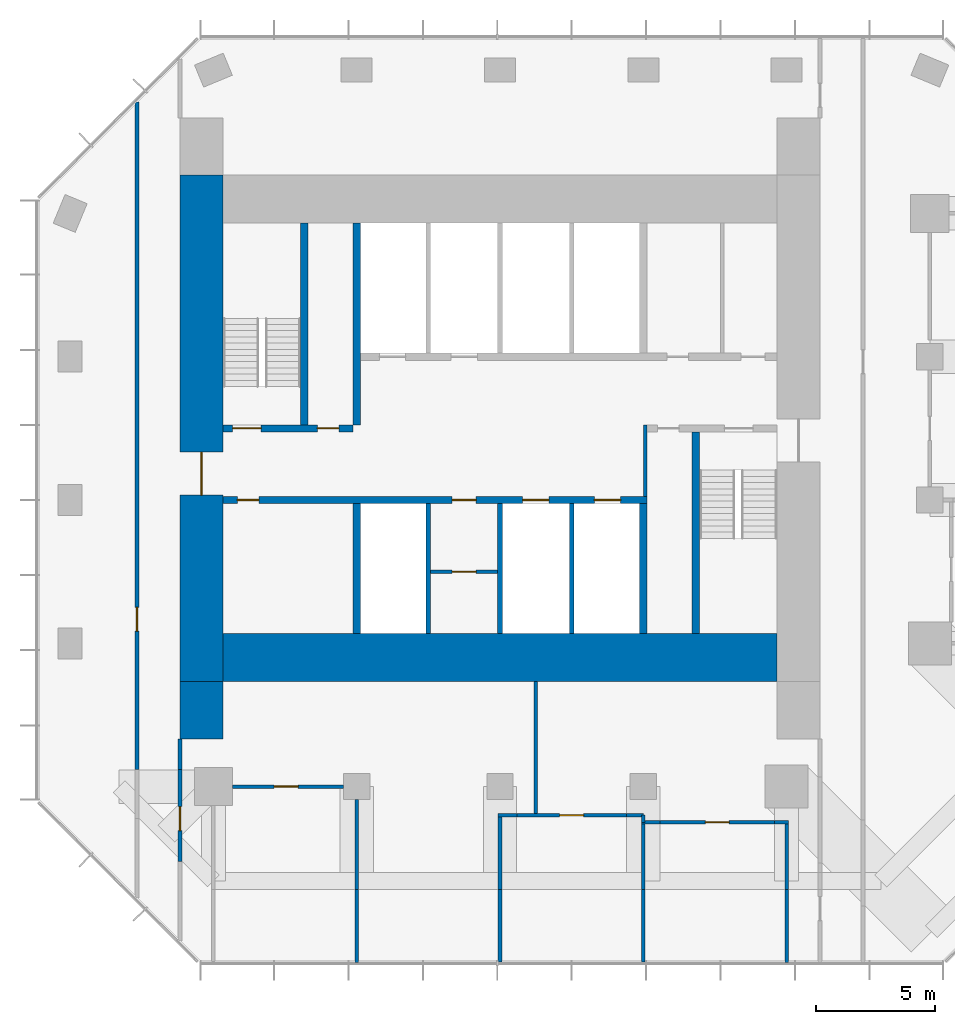
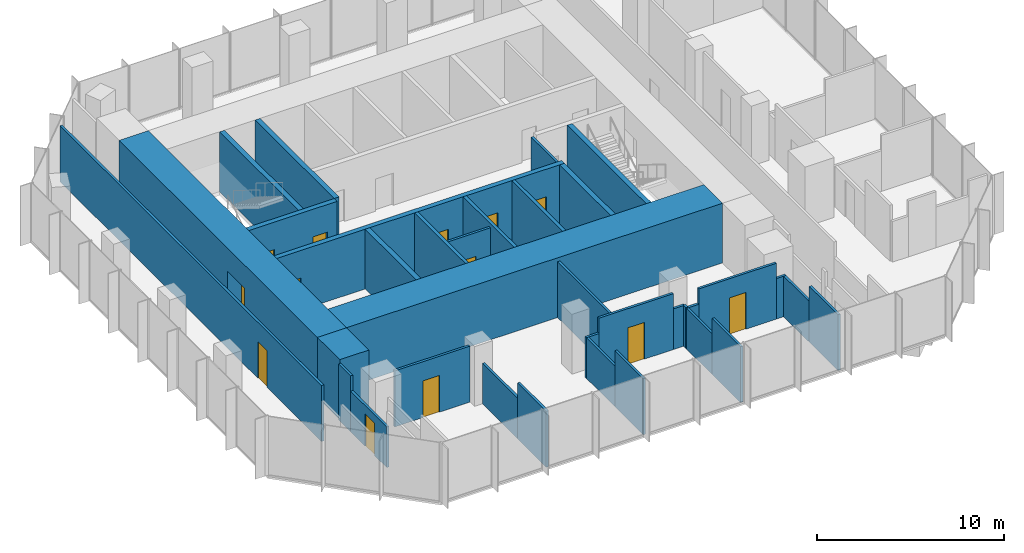
# One storey, part 8 of 11: 35 walls, 13 doors, 13 openings.
"""IFC4 building model written with IfcOpenShell, lengths in metres."""

from ifc_helpers import new_model, si_unit, direction, frame, frame_2d, origin, place, context, subcontext, project, spatial, rectangle, extrude, material, layer, layer_set, type_object, element, fill, save


model = new_model("IFC4")

# Units and contexts
model_context = context("Model", 3, precision=1e-05, world=origin(), true_north=direction((0.0, 1.0)))
body_context = subcontext(model_context, "Body", "Model", "MODEL_VIEW")
ifc_project = project(units=[si_unit("LENGTHUNIT", "METRE"), si_unit("AREAUNIT", "SQUARE_METRE"), si_unit("VOLUMEUNIT", "CUBIC_METRE"), si_unit("PLANEANGLEUNIT", "RADIAN"), si_unit("MASSUNIT", "GRAM", prefix="KILO")], contexts=[model_context])

# Site, building, storey
site_placement = place(None, origin())
site = spatial("IfcSite", under=ifc_project, at=site_placement, CompositionType="ELEMENT")
building_placement = place(site_placement, origin())
building = spatial("IfcBuilding", under=site, at=building_placement, Name="Highveld Stack Headquarters", CompositionType="ELEMENT")
storey_placement = place(building_placement, frame((0.0, 0.0, 272.300048828125)))
storey = spatial("IfcBuildingStorey", under=building, at=storey_placement, Name="L67", CompositionType="ELEMENT", Elevation=272.300048828125)

# Wall, opening, door
ifc_material_1 = material(Name="Concrete C60/75", Category="concrete")
ifc_layer_1 = layer(ifc_material_1, 1.800048828125)
ifc_layer_set_1 = layer_set([ifc_layer_1], Name="Concrete C60/75")
wall_type_1 = type_object("IfcWallType", Name="CORE WALL 1800 C60/75", PredefinedType="SHEAR", material=ifc_layer_set_1)
wall_1_placement = place(storey_placement, frame((-6.5, -7.60009765625, 0.0), z_axis=(0.0, 0.0, 1.0), x_axis=(0.0, 1.0, 0.0)))
wall_1 = element("IfcWall", 1, at=wall_1_placement, inside=storey, type_object=wall_type_1, Name="Core wall W L67", PredefinedType="SHEAR", context=body_context, shape_type="SweptSolid", body=[
    extrude(rectangle(XDim=21.2001953125, YDim=1.800048828125, at=frame_2d((10.60009765625, 0.0))), origin(), (0.0, 0.0, 1.0), 3.89990234375),
])
opening_1_placement = place(wall_1_placement, frame((7.800048828125, 0.0, 0.0)))
opening_1 = element("IfcOpeningElement", 2, at=opening_1_placement, cuts=wall_1, Name="Opening L67-01", PredefinedType="OPENING", context=body_context, shape_type="SweptSolid", body=[
    extrude(rectangle(XDim=1.800048828125, YDim=2.39990234375, at=frame_2d((0.89990234375, 1.199951171875))), frame((0.0, 0.909912109375, 0.0), z_axis=(0.0, -1.0, 0.0), x_axis=(1.0, 0.0, 0.0)), (0.0, 0.0, 1.0), 1.820068359375),
])
ifc_material_2 = material(Name="Steel fire door", Category="steel")
door_type_1 = type_object("IfcDoorType", Name="LOBBY FIRE DOOR D4 1800x2400", OperationType="DOUBLE_DOOR_SINGLE_SWING", PredefinedType="DOOR", material=ifc_material_2)
door_1_placement = place(opening_1_placement, origin())
door_1 = element("IfcDoor", 3, at=door_1_placement, inside=storey, type_object=door_type_1, Name="Core west door L67", OperationType="DOUBLE_DOOR_SINGLE_SWING", OverallHeight=2.39990234375, OverallWidth=1.800048828125, PredefinedType="DOOR", context=body_context, shape_type="SweptSolid", body=[
    extrude(rectangle(XDim=1.800048828125, YDim=2.39990234375, at=frame_2d((0.89990234375, 1.199951171875))), frame((0.0, 0.02490234375, 0.0), z_axis=(0.0, -1.0, 0.0), x_axis=(1.0, 0.0, 0.0)), (0.0, 0.0, 1.0), 0.050048828125),
])
fill(opening_1, door_1)

# Wall
ifc_material_3 = material(Name="Concrete C60/75", Category="concrete")
ifc_layer_2 = layer(ifc_material_3, 2.0)
ifc_layer_set_2 = layer_set([ifc_layer_2], Name="Concrete C60/75")
wall_type_2 = type_object("IfcWallType", Name="CORE WALL 2000 C60/75", PredefinedType="SHEAR", material=ifc_layer_set_2)
wall_2_placement = place(storey_placement, frame((-5.60009765625, -6.60009765625, 0.0), z_axis=(0.0, 0.0, 1.0), x_axis=(1.0, 0.0, 0.0)))
element("IfcWall", 4, at=wall_2_placement, inside=storey, type_object=wall_type_2, Name="Core wall S L67", PredefinedType="SHEAR", context=body_context, shape_type="SweptSolid", body=[
    extrude(rectangle(XDim=23.2001953125, YDim=2.0, at=frame_2d((11.60009765625, 0.0))), origin(), (0.0, 0.0, 1.0), 3.89990234375),
])

# Wall, openings, doors
ifc_material_4 = material(Name="Concrete C60/75", Category="concrete")
ifc_layer_3 = layer(ifc_material_4, 0.300048828125)
ifc_layer_set_3 = layer_set([ifc_layer_3], Name="Concrete C60/75")
wall_type_3 = type_object("IfcWallType", Name="CORE WALL 300 C60/75", PredefinedType="SHEAR", material=ifc_layer_set_3)
wall_3_placement = place(storey_placement, frame((-5.60009765625, 0.0, 0.0), z_axis=(0.0, 0.0, 1.0), x_axis=(1.0, 0.0, 0.0)))
wall_3 = element("IfcWall", 5, at=wall_3_placement, inside=storey, type_object=wall_type_3, Name="Core wall I-Y0 L67", PredefinedType="SHEAR", context=body_context, shape_type="SweptSolid", body=[
    extrude(rectangle(XDim=17.75, YDim=0.300048828125, at=frame_2d((8.875, 0.0))), origin(), (0.0, 0.0, 1.0), 3.89990234375),
])
opening_2_placement = place(wall_3_placement, frame((0.60009765625, 0.0, 0.0)))
opening_2 = element("IfcOpeningElement", 6, at=opening_2_placement, cuts=wall_3, Name="Opening L67-07", PredefinedType="OPENING", context=body_context, shape_type="SweptSolid", body=[
    extrude(rectangle(XDim=0.89990234375, YDim=2.10009765625, at=frame_2d((0.449951171875, 1.050048828125))), frame((0.0, 0.159912109375, 0.0), z_axis=(0.0, -1.0, 0.0), x_axis=(1.0, 0.0, 0.0)), (0.0, 0.0, 1.0), 0.320068359375),
])
opening_3_placement = place(wall_3_placement, frame((9.60009765625, 0.0, 0.0)))
opening_3 = element("IfcOpeningElement", 7, at=opening_3_placement, cuts=wall_3, Name="Opening L67-11", PredefinedType="OPENING", context=body_context, shape_type="SweptSolid", body=[
    extrude(rectangle(XDim=1.0, YDim=2.10009765625, at=frame_2d((0.5, 1.050048828125))), frame((0.0, 0.159912109375, 0.0), z_axis=(0.0, -1.0, 0.0), x_axis=(1.0, 0.0, 0.0)), (0.0, 0.0, 1.0), 0.320068359375),
])
opening_4_placement = place(wall_3_placement, frame((12.550048828125, 0.0, 0.0)))
opening_4 = element("IfcOpeningElement", 8, at=opening_4_placement, cuts=wall_3, Name="Opening LD", PredefinedType="OPENING", context=body_context, shape_type="SweptSolid", body=[
    extrude(rectangle(XDim=1.10009765625, YDim=2.10009765625, at=frame_2d((0.550048828125, 1.050048828125))), frame((0.0, 0.159912109375, 0.0), z_axis=(0.0, -1.0, 0.0), x_axis=(1.0, 0.0, 0.0)), (0.0, 0.0, 1.0), 0.320068359375),
])
opening_5_placement = place(wall_3_placement, frame((15.550048828125, 0.0, 0.0)))
opening_5 = element("IfcOpeningElement", 9, at=opening_5_placement, cuts=wall_3, Name="Opening LD", PredefinedType="OPENING", context=body_context, shape_type="SweptSolid", body=[
    extrude(rectangle(XDim=1.10009765625, YDim=2.10009765625, at=frame_2d((0.550048828125, 1.050048828125))), frame((0.0, 0.159912109375, 0.0), z_axis=(0.0, -1.0, 0.0), x_axis=(1.0, 0.0, 0.0)), (0.0, 0.0, 1.0), 0.320068359375),
])
ifc_material_5 = material(Name="Steel fire door", Category="steel")
door_type_2 = type_object("IfcDoorType", Name="CORE ROOM FIRE DOOR D14 1000x2100", OperationType="SINGLE_SWING_LEFT", PredefinedType="DOOR", material=ifc_material_5)
door_2_placement = place(opening_3_placement, origin())
door_2 = element("IfcDoor", 10, at=door_2_placement, inside=storey, type_object=door_type_2, Name="Capped B 1 door L67", OperationType="SINGLE_SWING_RIGHT", OverallHeight=2.10009765625, OverallWidth=1.0, PredefinedType="DOOR", context=body_context, shape_type="SweptSolid", body=[
    extrude(rectangle(XDim=1.0, YDim=2.10009765625, at=frame_2d((0.5, 1.050048828125))), frame((0.0, 0.02490234375, 0.0), z_axis=(0.0, -1.0, 0.0), x_axis=(1.0, 0.0, 0.0)), (0.0, 0.0, 1.0), 0.050048828125),
])
fill(opening_3, door_2)
ifc_material_6 = material(Name="Stainless steel lift landing door", Category="steel")
door_type_3 = type_object("IfcDoorType", Name="LIFT LANDING DOOR LD 1100x2100", OperationType="DOUBLE_DOOR_SLIDING", PredefinedType="USERDEFINED", material=ifc_material_6)
door_3_placement = place(opening_4_placement, origin())
door_3 = element("IfcDoor", 11, at=door_3_placement, inside=storey, type_object=door_type_3, Name="Lift landing door C1 L67", ObjectType="LIFT LANDING DOOR", OperationType="DOUBLE_DOOR_SLIDING", OverallHeight=2.10009765625, OverallWidth=1.10009765625, PredefinedType="USERDEFINED", context=body_context, shape_type="SweptSolid", body=[
    extrude(rectangle(XDim=1.10009765625, YDim=2.10009765625, at=frame_2d((0.550048828125, 1.050048828125))), frame((0.0, 0.02490234375, 0.0), z_axis=(0.0, -1.0, 0.0), x_axis=(1.0, 0.0, 0.0)), (0.0, 0.0, 1.0), 0.050048828125),
])
fill(opening_4, door_3)
door_4_placement = place(opening_5_placement, origin())
door_4 = element("IfcDoor", 12, at=door_4_placement, inside=storey, type_object=door_type_3, Name="Lift landing door C2 L67", ObjectType="LIFT LANDING DOOR", OperationType="DOUBLE_DOOR_SLIDING", OverallHeight=2.10009765625, OverallWidth=1.10009765625, PredefinedType="USERDEFINED", context=body_context, shape_type="SweptSolid", body=[
    extrude(rectangle(XDim=1.10009765625, YDim=2.10009765625, at=frame_2d((0.550048828125, 1.050048828125))), frame((0.0, 0.02490234375, 0.0), z_axis=(0.0, -1.0, 0.0), x_axis=(1.0, 0.0, 0.0)), (0.0, 0.0, 1.0), 0.050048828125),
])
fill(opening_5, door_4)
ifc_material_7 = material(Name="Timber door, painted", Category="wood")
door_type_4 = type_object("IfcDoorType", Name="WC DOOR D1 900x2100", OperationType="SINGLE_SWING_LEFT", PredefinedType="DOOR", material=ifc_material_7)
door_5_placement = place(opening_2_placement, origin())
door_5 = element("IfcDoor", 13, at=door_5_placement, inside=storey, type_object=door_type_4, Name="Female WC door L67", OperationType="SINGLE_SWING_LEFT", OverallHeight=2.10009765625, OverallWidth=0.89990234375, PredefinedType="DOOR", context=body_context, shape_type="SweptSolid", body=[
    extrude(rectangle(XDim=0.89990234375, YDim=2.10009765625, at=frame_2d((0.449951171875, 1.050048828125))), frame((0.0, 0.02490234375, 0.0), z_axis=(0.0, -1.0, 0.0), x_axis=(1.0, 0.0, 0.0)), (0.0, 0.0, 1.0), 0.050048828125),
])
fill(opening_2, door_5)

wall_4_placement = place(storey_placement, frame((-5.60009765625, 3.0, 0.0), z_axis=(0.0, 0.0, 1.0), x_axis=(1.0, 0.0, 0.0)))
wall_4 = element("IfcWall", 14, at=wall_4_placement, inside=storey, type_object=wall_type_3, Name="Core wall I-Y3W L67", PredefinedType="SHEAR", context=body_context, shape_type="SweptSolid", body=[
    extrude(rectangle(XDim=5.4501953125, YDim=0.300048828125, at=frame_2d((2.72509765625, 0.0))), origin(), (0.0, 0.0, 1.0), 3.89990234375),
])
opening_6_placement = place(wall_4_placement, frame((0.39990234375, 0.0, 0.0)))
opening_6 = element("IfcOpeningElement", 15, at=opening_6_placement, cuts=wall_4, Name="Opening L67-03", PredefinedType="OPENING", context=body_context, shape_type="SweptSolid", body=[
    extrude(rectangle(XDim=1.199951171875, YDim=2.10009765625, at=frame_2d((0.60009765625, 1.050048828125))), frame((0.0, 0.159912109375, 0.0), z_axis=(0.0, -1.0, 0.0), x_axis=(1.0, 0.0, 0.0)), (0.0, 0.0, 1.0), 0.320068359375),
])
opening_7_placement = place(wall_4_placement, frame((3.949951171875, 0.0, 0.0)))
opening_7 = element("IfcOpeningElement", 16, at=opening_7_placement, cuts=wall_4, Name="Opening L67-04", PredefinedType="OPENING", context=body_context, shape_type="SweptSolid", body=[
    extrude(rectangle(XDim=0.89990234375, YDim=2.10009765625, at=frame_2d((0.449951171875, 1.050048828125))), frame((0.0, 0.159912109375, 0.0), z_axis=(0.0, -1.0, 0.0), x_axis=(1.0, 0.0, 0.0)), (0.0, 0.0, 1.0), 0.320068359375),
])
ifc_material_8 = material(Name="Steel fire door", Category="steel")
door_type_5 = type_object("IfcDoorType", Name="RISER ACCESS DOOR D5 900x2100", OperationType="SINGLE_SWING_LEFT", PredefinedType="DOOR", material=ifc_material_8)
door_6_placement = place(opening_7_placement, origin())
door_6 = element("IfcDoor", 17, at=door_6_placement, inside=storey, type_object=door_type_5, Name="Riser R1 door L67", OperationType="SINGLE_SWING_RIGHT", OverallHeight=2.10009765625, OverallWidth=0.89990234375, PredefinedType="DOOR", context=body_context, shape_type="SweptSolid", body=[
    extrude(rectangle(XDim=0.89990234375, YDim=2.10009765625, at=frame_2d((0.449951171875, 1.050048828125))), frame((0.0, 0.02490234375, 0.0), z_axis=(0.0, -1.0, 0.0), x_axis=(1.0, 0.0, 0.0)), (0.0, 0.0, 1.0), 0.050048828125),
])
fill(opening_7, door_6)
ifc_material_9 = material(Name="Steel fire door", Category="steel")
door_type_6 = type_object("IfcDoorType", Name="STAIR FIRE DOOR D3 1200x2100", OperationType="SINGLE_SWING_LEFT", PredefinedType="DOOR", material=ifc_material_9)
door_7_placement = place(opening_6_placement, origin())
door_7 = element("IfcDoor", 18, at=door_7_placement, inside=storey, type_object=door_type_6, Name="Stair S1 door L67", OperationType="SINGLE_SWING_LEFT", OverallHeight=2.10009765625, OverallWidth=1.199951171875, PredefinedType="DOOR", context=body_context, shape_type="SweptSolid", body=[
    extrude(rectangle(XDim=1.199951171875, YDim=2.10009765625, at=frame_2d((0.60009765625, 1.050048828125))), frame((0.0, 0.02490234375, 0.0), z_axis=(0.0, -1.0, 0.0), x_axis=(1.0, 0.0, 0.0)), (0.0, 0.0, 1.0), 0.050048828125),
])
fill(opening_6, door_7)

# Walls
wall_5_placement = place(storey_placement, frame((0.0, -5.60009765625, 0.0), z_axis=(0.0, 0.0, 1.0), x_axis=(0.0, 1.0, 0.0)))
element("IfcWall", 19, at=wall_5_placement, inside=storey, type_object=wall_type_3, Name="Core wall I-X0S L67", PredefinedType="SHEAR", context=body_context, shape_type="SweptSolid", body=[
    extrude(rectangle(XDim=5.4501953125, YDim=0.300048828125, at=frame_2d((2.72509765625, 0.0))), origin(), (0.0, 0.0, 1.0), 3.89990234375),
])
wall_6_placement = place(storey_placement, frame((0.0, 3.14990234375, 0.0), z_axis=(0.0, 0.0, 1.0), x_axis=(0.0, 1.0, 0.0)))
element("IfcWall", 20, at=wall_6_placement, inside=storey, type_object=wall_type_3, Name="Core wall I-X0N L67", PredefinedType="SHEAR", context=body_context, shape_type="SweptSolid", body=[
    extrude(rectangle(XDim=8.4501953125, YDim=0.300048828125, at=frame_2d((4.22509765625, 0.0))), origin(), (0.0, 0.0, 1.0), 3.89990234375),
])
wall_7_placement = place(storey_placement, frame((12.0, -5.60009765625, 0.0), z_axis=(0.0, 0.0, 1.0), x_axis=(0.0, 1.0, 0.0)))
element("IfcWall", 21, at=wall_7_placement, inside=storey, type_object=wall_type_3, Name="Core wall I-X12S L67", PredefinedType="SHEAR", context=body_context, shape_type="SweptSolid", body=[
    extrude(rectangle(XDim=5.4501953125, YDim=0.300048828125, at=frame_2d((2.72509765625, 0.0))), origin(), (0.0, 0.0, 1.0), 3.89990234375),
])
for number, where, z_axis, x_axis, name in (
    (22, (-2.199951171875, 3.14990234375, 0.0), (0.0, 0.0, 1.0), (0.0, 1.0, 0.0), "Core wall I-RW L67"),
    (23, (14.199951171875, -5.60009765625, 0.0), (0.0, 0.0, 1.0), (0.0, 1.0, 0.0), "Core wall I-RE L67"),
):
    element("IfcWall", number, at=place(storey_placement, frame(where, z_axis=z_axis, x_axis=x_axis)), inside=storey, type_object=wall_type_3, Name=name, PredefinedType="SHEAR", context=body_context, shape_type="SweptSolid", body=[
        extrude(rectangle(XDim=8.4501953125, YDim=0.300048828125, at=frame_2d((4.22509765625, 0.0))), origin(), (0.0, 0.0, 1.0), 3.89990234375),
    ])
ifc_material_10 = material(Name="Concrete C60/75", Category="concrete")
ifc_layer_4 = layer(ifc_material_10, 1.800048828125)
ifc_layer_set_4 = layer_set([ifc_layer_4], Name="Concrete C60/75")
wall_type_4 = type_object("IfcWallType", Name="CORE WING WALL 1800 C60/75", PredefinedType="SHEAR", material=ifc_layer_set_4)
wall_8_placement = place(storey_placement, frame((-6.5, -10.0, 0.0), z_axis=(0.0, 0.0, 1.0), x_axis=(0.0, 1.0, 0.0)))
element("IfcWall", 24, at=wall_8_placement, inside=storey, type_object=wall_type_4, Name="Core wing wall WS L67", PredefinedType="SHEAR", context=body_context, shape_type="SweptSolid", body=[
    extrude(rectangle(XDim=2.39990234375, YDim=1.800048828125, at=frame_2d((1.199951171875, 0.0))), origin(), (0.0, 0.0, 1.0), 3.89990234375),
])

# Wall, opening, door
ifc_material_11 = material(Name="Concrete blockwork, plastered", Category="masonry")
ifc_layer_5 = layer(ifc_material_11, 0.14990234375)
ifc_layer_set_5 = layer_set([ifc_layer_5], Name="Concrete blockwork, plastered")
wall_type_5 = type_object("IfcWallType", Name="FIRE PARTITION 150 BLOCKWORK", PredefinedType="PARTITIONING", material=ifc_layer_set_5)
wall_9_placement = place(storey_placement, frame((3.10009765625, -3.0, 0.0), z_axis=(0.0, 0.0, 1.0), x_axis=(1.0, 0.0, 0.0)))
wall_9 = element("IfcWall", 25, at=wall_9_placement, inside=storey, type_object=wall_type_5, Name="Core room partition L67", PredefinedType="PARTITIONING", context=body_context, shape_type="SweptSolid", body=[
    extrude(rectangle(XDim=2.7998046875, YDim=0.14990234375, at=frame_2d((1.39990234375, 0.0))), origin(), (0.0, 0.0, 1.0), 3.64990234375),
])
opening_8_placement = place(wall_9_placement, frame((0.89990234375, 0.0, 0.0)))
opening_8 = element("IfcOpeningElement", 26, at=opening_8_placement, cuts=wall_9, Name="Opening L67-10", PredefinedType="OPENING", context=body_context, shape_type="SweptSolid", body=[
    extrude(rectangle(XDim=1.0, YDim=2.10009765625, at=frame_2d((0.5, 1.050048828125))), frame((0.0, 0.0849609375, 0.0), z_axis=(0.0, -1.0, 0.0), x_axis=(1.0, 0.0, 0.0)), (0.0, 0.0, 1.0), 0.169921875),
])
door_8_placement = place(opening_8_placement, origin())
door_8 = element("IfcDoor", 27, at=door_8_placement, inside=storey, type_object=door_type_2, Name="Capped B 2 door L67", OperationType="SINGLE_SWING_RIGHT", OverallHeight=2.10009765625, OverallWidth=1.0, PredefinedType="DOOR", context=body_context, shape_type="SweptSolid", body=[
    extrude(rectangle(XDim=1.0, YDim=2.10009765625, at=frame_2d((0.5, 1.050048828125))), frame((0.0, 0.02490234375, 0.0), z_axis=(0.0, -1.0, 0.0), x_axis=(1.0, 0.0, 0.0)), (0.0, 0.0, 1.0), 0.050048828125),
])
fill(opening_8, door_8)

# Walls
wall_10_placement = place(storey_placement, frame((12.074951171875, 0.14990234375, 0.0), z_axis=(0.0, 0.0, 1.0), x_axis=(0.0, 1.0, 0.0)))
element("IfcWall", 28, at=wall_10_placement, inside=storey, type_object=wall_type_5, Name="Riser R2 enclosure L67", PredefinedType="PARTITIONING", context=body_context, shape_type="SweptSolid", body=[
    extrude(rectangle(XDim=3.0, YDim=0.14990234375, at=frame_2d((1.5, 0.0))), origin(), (0.0, 0.0, 1.0), 3.64990234375),
])
ifc_material_12 = material(Name="Concrete blockwork, fair-faced", Category="masonry")
ifc_layer_6 = layer(ifc_material_12, 0.199951171875)
ifc_layer_set_6 = layer_set([ifc_layer_6], Name="Concrete blockwork, fair-faced")
wall_type_6 = type_object("IfcWallType", Name="LIFT SHAFT ENCLOSURE WALL 200 BLOCKWORK", PredefinedType="SOLIDWALL", material=ifc_layer_set_6)
for number, where, z_axis, x_axis, name in (
    (29, (3.0, -5.60009765625, 0.0), (0.0, 0.0, 1.0), (0.0, 1.0, 0.0), "Lift shaft wall L67"),
    (30, (6.0, -5.60009765625, 0.0), (0.0, 0.0, 1.0), (0.0, 1.0, 0.0), "Lift shaft wall L67"),
    (31, (9.0, -5.60009765625, 0.0), (0.0, 0.0, 1.0), (0.0, 1.0, 0.0), "Lift shaft wall L67"),
):
    element("IfcWall", number, at=place(storey_placement, frame(where, z_axis=z_axis, x_axis=x_axis)), inside=storey, type_object=wall_type_6, Name=name, PredefinedType="SOLIDWALL", context=body_context, shape_type="SweptSolid", body=[
        extrude(rectangle(XDim=5.4501953125, YDim=0.199951171875, at=frame_2d((2.72509765625, 0.0))), origin(), (0.0, 0.0, 1.0), 3.89990234375),
    ])
ifc_material_13 = material(Name="Gypsum plasterboard on steel studs", Category="steel")
ifc_layer_7 = layer(ifc_material_13, 0.14990234375)
ifc_layer_set_7 = layer_set([ifc_layer_7], Name="Gypsum plasterboard on steel studs")
wall_type_7 = type_object("IfcWallType", Name="PARTITION 150 PLASTERBOARD", PredefinedType="PARTITIONING", material=ifc_layer_set_7)
wall_11_placement = place(storey_placement, frame((11.925048828125, -13.5, 0.0), z_axis=(0.0, 0.0, 1.0), x_axis=(1.0, 0.0, 0.0)))
element("IfcWall", 32, at=wall_11_placement, inside=storey, type_object=wall_type_7, Name="Partition Quiet room L67", PredefinedType="PARTITIONING", context=body_context, shape_type="SweptSolid", body=[
    extrude(rectangle(XDim=0.784912109375, YDim=0.14990234375, at=frame_2d((0.392578125, 0.0))), origin(), (0.0, 0.0, 1.0), 2.64990234375),
])

# Wall, opening, door
wall_12_placement = place(storey_placement, frame((12.7099609375, -13.5, 0.0), z_axis=(0.0, 0.0, 1.0), x_axis=(1.0, 0.0, 0.0)))
wall_12 = element("IfcWall", 33, at=wall_12_placement, inside=storey, type_object=wall_type_7, Name="Partition Quiet room L67", PredefinedType="PARTITIONING", context=body_context, shape_type="SweptSolid", body=[
    extrude(rectangle(XDim=4.780029296875, YDim=0.14990234375, at=frame_2d((2.39013671875, 0.0))), origin(), (0.0, 0.0, 1.0), 3.64990234375),
])
opening_9_placement = place(wall_12_placement, frame((1.889892578125, 0.0, 0.0)))
opening_9 = element("IfcOpeningElement", 34, at=opening_9_placement, cuts=wall_12, Name="Opening L67-14", PredefinedType="OPENING", context=body_context, shape_type="SweptSolid", body=[
    extrude(rectangle(XDim=1.0, YDim=2.39990234375, at=frame_2d((0.5, 1.199951171875))), frame((0.0, 0.0849609375, 0.0), z_axis=(0.0, -1.0, 0.0), x_axis=(1.0, 0.0, 0.0)), (0.0, 0.0, 1.0), 0.169921875),
])
ifc_material_14 = material(Name="Timber door, oiled ash", Category="wood")
door_type_7 = type_object("IfcDoorType", Name="ROOM DOOR D11 1000x2400", OperationType="SINGLE_SWING_LEFT", PredefinedType="DOOR", material=ifc_material_14)
door_9_placement = place(opening_9_placement, origin())
door_9 = element("IfcDoor", 35, at=door_9_placement, inside=storey, type_object=door_type_7, Name="Quiet room door 1 L67", OperationType="SINGLE_SWING_RIGHT", OverallHeight=2.39990234375, OverallWidth=1.0, PredefinedType="DOOR", context=body_context, shape_type="SweptSolid", body=[
    extrude(rectangle(XDim=1.0, YDim=2.39990234375, at=frame_2d((0.5, 1.199951171875))), frame((0.0, 0.02490234375, 0.0), z_axis=(0.0, -1.0, 0.0), x_axis=(1.0, 0.0, 0.0)), (0.0, 0.0, 1.0), 0.050048828125),
])
fill(opening_9, door_9)

# Walls
wall_13_placement = place(storey_placement, frame((17.489990234375, -13.5, 0.0), z_axis=(0.0, 0.0, 1.0), x_axis=(1.0, 0.0, 0.0)))
element("IfcWall", 36, at=wall_13_placement, inside=storey, type_object=wall_type_7, Name="Partition Quiet room L67", PredefinedType="PARTITIONING", context=body_context, shape_type="SweptSolid", body=[
    extrude(rectangle(XDim=0.5849609375, YDim=0.14990234375, at=frame_2d((0.29248046875, 0.0))), origin(), (0.0, 0.0, 1.0), 2.64990234375),
])
wall_14_placement = place(storey_placement, frame((5.925048828125, -13.199951171875, 0.0), z_axis=(0.0, 0.0, 1.0), x_axis=(1.0, 0.0, 0.0)))
element("IfcWall", 37, at=wall_14_placement, inside=storey, type_object=wall_type_7, Name="Partition Tea kitchen L67", PredefinedType="PARTITIONING", context=body_context, shape_type="SweptSolid", body=[
    extrude(rectangle(XDim=0.784912109375, YDim=0.14990234375, at=frame_2d((0.392578125, 0.0))), origin(), (0.0, 0.0, 1.0), 2.64990234375),
])

# Wall, opening, door
wall_15_placement = place(storey_placement, frame((6.7099609375, -13.199951171875, 0.0), z_axis=(0.0, 0.0, 1.0), x_axis=(1.0, 0.0, 0.0)))
wall_15 = element("IfcWall", 38, at=wall_15_placement, inside=storey, type_object=wall_type_7, Name="Partition Tea kitchen L67", PredefinedType="PARTITIONING", context=body_context, shape_type="SweptSolid", body=[
    extrude(rectangle(XDim=4.580078125, YDim=0.14990234375, at=frame_2d((2.2900390625, 0.0))), origin(), (0.0, 0.0, 1.0), 3.64990234375),
])
opening_10_placement = place(wall_15_placement, frame((1.7900390625, 0.0, 0.0)))
opening_10 = element("IfcOpeningElement", 39, at=opening_10_placement, cuts=wall_15, Name="Opening L67-13", PredefinedType="OPENING", context=body_context, shape_type="SweptSolid", body=[
    extrude(rectangle(XDim=1.0, YDim=2.39990234375, at=frame_2d((0.5, 1.199951171875))), frame((0.0, 0.0849609375, 0.0), z_axis=(0.0, -1.0, 0.0), x_axis=(1.0, 0.0, 0.0)), (0.0, 0.0, 1.0), 0.169921875),
])
door_10_placement = place(opening_10_placement, origin())
door_10 = element("IfcDoor", 40, at=door_10_placement, inside=storey, type_object=door_type_7, Name="Tea kitchen door 1 L67", OperationType="SINGLE_SWING_RIGHT", OverallHeight=2.39990234375, OverallWidth=1.0, PredefinedType="DOOR", context=body_context, shape_type="SweptSolid", body=[
    extrude(rectangle(XDim=1.0, YDim=2.39990234375, at=frame_2d((0.5, 1.199951171875))), frame((0.0, 0.02490234375, 0.0), z_axis=(0.0, -1.0, 0.0), x_axis=(1.0, 0.0, 0.0)), (0.0, 0.0, 1.0), 0.050048828125),
])
fill(opening_10, door_10)

# Wall
wall_16_placement = place(storey_placement, frame((11.2900390625, -13.199951171875, 0.0), z_axis=(0.0, 0.0, 1.0), x_axis=(1.0, 0.0, 0.0)))
element("IfcWall", 41, at=wall_16_placement, inside=storey, type_object=wall_type_7, Name="Partition Tea kitchen L67", PredefinedType="PARTITIONING", context=body_context, shape_type="SweptSolid", body=[
    extrude(rectangle(XDim=0.7099609375, YDim=0.14990234375, at=frame_2d((0.35498046875, 0.0))), origin(), (0.0, 0.0, 1.0), 2.64990234375),
])

# Wall, opening, door
wall_17_placement = place(storey_placement, frame((-5.199951171875, -12.0, 0.0), z_axis=(0.0, 0.0, 1.0), x_axis=(1.0, 0.0, 0.0)))
wall_17 = element("IfcWall", 42, at=wall_17_placement, inside=storey, type_object=wall_type_7, Name="Partition Executive office L67", PredefinedType="PARTITIONING", context=body_context, shape_type="SweptSolid", body=[
    extrude(rectangle(XDim=4.639892578125, YDim=0.14990234375, at=frame_2d((2.31982421875, 0.0))), origin(), (0.0, 0.0, 1.0), 3.64990234375),
])
opening_11_placement = place(wall_17_placement, frame((1.7451171875, 0.0, 0.0)))
opening_11 = element("IfcOpeningElement", 43, at=opening_11_placement, cuts=wall_17, Name="Opening L67-12", PredefinedType="OPENING", context=body_context, shape_type="SweptSolid", body=[
    extrude(rectangle(XDim=1.0, YDim=2.39990234375, at=frame_2d((0.5, 1.199951171875))), frame((0.0, 0.0849609375, 0.0), z_axis=(0.0, -1.0, 0.0), x_axis=(1.0, 0.0, 0.0)), (0.0, 0.0, 1.0), 0.169921875),
])
door_11_placement = place(opening_11_placement, origin())
door_11 = element("IfcDoor", 44, at=door_11_placement, inside=storey, type_object=door_type_7, Name="Executive office door 1 L67", OperationType="SINGLE_SWING_LEFT", OverallHeight=2.39990234375, OverallWidth=1.0, PredefinedType="DOOR", context=body_context, shape_type="SweptSolid", body=[
    extrude(rectangle(XDim=1.0, YDim=2.39990234375, at=frame_2d((0.5, 1.199951171875))), frame((0.0, 0.02490234375, 0.0), z_axis=(0.0, -1.0, 0.0), x_axis=(1.0, 0.0, 0.0)), (0.0, 0.0, 1.0), 0.050048828125),
])
fill(opening_11, door_11)

# Walls
wall_18_placement = place(storey_placement, frame((0.0, -19.375, 0.0), z_axis=(0.0, 0.0, 1.0), x_axis=(0.0, 1.0, 0.0)))
element("IfcWall", 45, at=wall_18_placement, inside=storey, type_object=wall_type_7, Name="Partition Executive office L67", PredefinedType="PARTITIONING", context=body_context, shape_type="SweptSolid", body=[
    extrude(rectangle(XDim=3.06494140625, YDim=0.14990234375, at=frame_2d((1.532470703125, 0.0))), origin(), (0.0, 0.0, 1.0), 3.64990234375),
])
wall_19_placement = place(storey_placement, frame((0.0, -16.31005859375, 0.0), z_axis=(0.0, 0.0, 1.0), x_axis=(0.0, 1.0, 0.0)))
element("IfcWall", 46, at=wall_19_placement, inside=storey, type_object=wall_type_7, Name="Partition Executive office L67", PredefinedType="PARTITIONING", context=body_context, shape_type="SweptSolid", body=[
    extrude(rectangle(XDim=3.760009765625, YDim=0.14990234375, at=frame_2d((1.8798828125, 0.0))), origin(), (0.0, 0.0, 1.0), 2.64990234375),
])
wall_20_placement = place(storey_placement, frame((6.0, -19.35009765625, 0.0), z_axis=(0.0, 0.0, 1.0), x_axis=(0.0, 1.0, 0.0)))
element("IfcWall", 47, at=wall_20_placement, inside=storey, type_object=wall_type_7, Name="Partition Tea kitchen L67", PredefinedType="PARTITIONING", context=body_context, shape_type="SweptSolid", body=[
    extrude(rectangle(XDim=3.0400390625, YDim=0.14990234375, at=frame_2d((1.52001953125, 0.0))), origin(), (0.0, 0.0, 1.0), 3.64990234375),
])
wall_21_placement = place(storey_placement, frame((6.0, -16.31005859375, 0.0), z_axis=(0.0, 0.0, 1.0), x_axis=(0.0, 1.0, 0.0)))
element("IfcWall", 48, at=wall_21_placement, inside=storey, type_object=wall_type_7, Name="Partition Tea kitchen L67", PredefinedType="PARTITIONING", context=body_context, shape_type="SweptSolid", body=[
    extrude(rectangle(XDim=3.03515625, YDim=0.14990234375, at=frame_2d((1.517578125, 0.0))), origin(), (0.0, 0.0, 1.0), 2.64990234375),
])
wall_22_placement = place(storey_placement, frame((12.0, -19.35009765625, 0.0), z_axis=(0.0, 0.0, 1.0), x_axis=(0.0, 1.0, 0.0)))
element("IfcWall", 49, at=wall_22_placement, inside=storey, type_object=wall_type_7, Name="Partition Quiet room / Tea kitchen L67", PredefinedType="PARTITIONING", context=body_context, shape_type="SweptSolid", body=[
    extrude(rectangle(XDim=3.0400390625, YDim=0.14990234375, at=frame_2d((1.52001953125, 0.0))), origin(), (0.0, 0.0, 1.0), 3.64990234375),
])
wall_23_placement = place(storey_placement, frame((12.0, -16.31005859375, 0.0), z_axis=(0.0, 0.0, 1.0), x_axis=(0.0, 1.0, 0.0)))
element("IfcWall", 50, at=wall_23_placement, inside=storey, type_object=wall_type_7, Name="Partition Quiet room / Tea kitchen L67", PredefinedType="PARTITIONING", context=body_context, shape_type="SweptSolid", body=[
    extrude(rectangle(XDim=2.735107421875, YDim=0.14990234375, at=frame_2d((1.36767578125, 0.0))), origin(), (0.0, 0.0, 1.0), 2.64990234375),
])
wall_24_placement = place(storey_placement, frame((12.0, -13.5, 0.0), z_axis=(0.0, 0.0, 1.0), x_axis=(0.0, 1.0, 0.0)))
element("IfcWall", 51, at=wall_24_placement, inside=storey, type_object=wall_type_7, Name="Partition Tea kitchen L67", PredefinedType="PARTITIONING", context=body_context, shape_type="SweptSolid", body=[
    extrude(rectangle(XDim=0.300048828125, YDim=0.14990234375, at=frame_2d((0.14990234375, 0.0))), origin(), (0.0, 0.0, 1.0), 2.64990234375),
])
wall_25_placement = place(storey_placement, frame((18.0, -19.375, 0.0), z_axis=(0.0, 0.0, 1.0), x_axis=(0.0, 1.0, 0.0)))
element("IfcWall", 52, at=wall_25_placement, inside=storey, type_object=wall_type_7, Name="Partition Quiet room L67", PredefinedType="PARTITIONING", context=body_context, shape_type="SweptSolid", body=[
    extrude(rectangle(XDim=3.06494140625, YDim=0.14990234375, at=frame_2d((1.532470703125, 0.0))), origin(), (0.0, 0.0, 1.0), 3.64990234375),
])
wall_26_placement = place(storey_placement, frame((18.0, -16.31005859375, 0.0), z_axis=(0.0, 0.0, 1.0), x_axis=(0.0, 1.0, 0.0)))
element("IfcWall", 53, at=wall_26_placement, inside=storey, type_object=wall_type_7, Name="Partition Quiet room L67", PredefinedType="PARTITIONING", context=body_context, shape_type="SweptSolid", body=[
    extrude(rectangle(XDim=2.735107421875, YDim=0.14990234375, at=frame_2d((1.36767578125, 0.0))), origin(), (0.0, 0.0, 1.0), 2.64990234375),
])

# Wall, opening, door
wall_27_placement = place(storey_placement, frame((-9.199951171875, -11.2900390625, 0.0), z_axis=(0.0, 0.0, 1.0), x_axis=(0.0, 1.0, 0.0)))
wall_27 = element("IfcWall", 54, at=wall_27_placement, inside=storey, type_object=wall_type_7, Name="Partition office neighbourhood L67", PredefinedType="PARTITIONING", context=body_context, shape_type="SweptSolid", body=[
    extrude(rectangle(XDim=27.9541015625, YDim=0.14990234375, at=frame_2d((13.97705078125, 0.0))), origin(), (0.0, 0.0, 1.0), 3.64990234375),
])
opening_12_placement = place(wall_27_placement, frame((5.798095703125, 0.0, 0.0)))
opening_12 = element("IfcOpeningElement", 55, at=opening_12_placement, cuts=wall_27, Name="Opening L67-20", PredefinedType="OPENING", context=body_context, shape_type="SweptSolid", body=[
    extrude(rectangle(XDim=1.0, YDim=2.39990234375, at=frame_2d((0.5, 1.199951171875))), frame((0.0, 0.0849609375, 0.0), z_axis=(0.0, -1.0, 0.0), x_axis=(1.0, 0.0, 0.0)), (0.0, 0.0, 1.0), 0.169921875),
])
door_12_placement = place(opening_12_placement, origin())
door_12 = element("IfcDoor", 56, at=door_12_placement, inside=storey, type_object=door_type_7, Name="Office neighbourhood door L67", OperationType="SINGLE_SWING_LEFT", OverallHeight=2.39990234375, OverallWidth=1.0, PredefinedType="DOOR", context=body_context, shape_type="SweptSolid", body=[
    extrude(rectangle(XDim=1.0, YDim=2.39990234375, at=frame_2d((0.5, 1.199951171875))), frame((0.0, 0.02490234375, 0.0), z_axis=(0.0, -1.0, 0.0), x_axis=(1.0, 0.0, 0.0)), (0.0, 0.0, 1.0), 0.050048828125),
])
fill(opening_12, door_12)

wall_28_placement = place(storey_placement, frame((-7.39990234375, -15.139892578125, 0.0), z_axis=(0.0, 0.0, 1.0), x_axis=(0.0, 1.0, 0.0)))
wall_28 = element("IfcWall", 57, at=wall_28_placement, inside=storey, type_object=wall_type_7, Name="Partition office neighbourhood L67", PredefinedType="PARTITIONING", context=body_context, shape_type="SweptSolid", body=[
    extrude(rectangle(XDim=3.849853515625, YDim=0.14990234375, at=frame_2d((1.9248046875, 0.0))), origin(), (0.0, 0.0, 1.0), 2.64990234375),
])
opening_13_placement = place(wall_28_placement, frame((1.300048828125, 0.0, 0.0)))
opening_13 = element("IfcOpeningElement", 58, at=opening_13_placement, cuts=wall_28, Name="Opening L67-21", PredefinedType="OPENING", context=body_context, shape_type="SweptSolid", body=[
    extrude(rectangle(XDim=1.0, YDim=2.10009765625, at=frame_2d((0.5, 1.050048828125))), frame((0.0, 0.0849609375, 0.0), z_axis=(0.0, -1.0, 0.0), x_axis=(1.0, 0.0, 0.0)), (0.0, 0.0, 1.0), 0.169921875),
])
ifc_material_15 = material(Name="Timber door, oiled ash", Category="wood")
door_type_8 = type_object("IfcDoorType", Name="ROOM DOOR D6 1000x2100", OperationType="SINGLE_SWING_LEFT", PredefinedType="DOOR", material=ifc_material_15)
door_13_placement = place(opening_13_placement, origin())
door_13 = element("IfcDoor", 59, at=door_13_placement, inside=storey, type_object=door_type_8, Name="Office neighbourhood door L67", OperationType="SINGLE_SWING_LEFT", OverallHeight=2.10009765625, OverallWidth=1.0, PredefinedType="DOOR", context=body_context, shape_type="SweptSolid", body=[
    extrude(rectangle(XDim=1.0, YDim=2.10009765625, at=frame_2d((0.5, 1.050048828125))), frame((0.0, 0.02490234375, 0.0), z_axis=(0.0, -1.0, 0.0), x_axis=(1.0, 0.0, 0.0)), (0.0, 0.0, 1.0), 0.050048828125),
])
fill(opening_13, door_13)

# Walls
wall_29_placement = place(storey_placement, frame((-7.39990234375, -11.2900390625, 0.0), z_axis=(0.0, 0.0, 1.0), x_axis=(0.0, 1.0, 0.0)))
element("IfcWall", 60, at=wall_29_placement, inside=storey, type_object=wall_type_7, Name="Partition office neighbourhood L67", PredefinedType="PARTITIONING", context=body_context, shape_type="SweptSolid", body=[
    extrude(rectangle(XDim=1.2900390625, YDim=0.14990234375, at=frame_2d((0.64501953125, 0.0))), origin(), (0.0, 0.0, 1.0), 3.64990234375),
])
wall_30_placement = place(storey_placement, frame((7.5, -13.125, 0.0), z_axis=(0.0, 0.0, 1.0), x_axis=(0.0, 1.0, 0.0)))
element("IfcWall", 61, at=wall_30_placement, inside=storey, type_object=wall_type_7, Name="Partition office neighbourhood L67", PredefinedType="PARTITIONING", context=body_context, shape_type="SweptSolid", body=[
    extrude(rectangle(XDim=5.52490234375, YDim=0.14990234375, at=frame_2d((2.762451171875, 0.0))), origin(), (0.0, 0.0, 1.0), 3.64990234375),
])

save(model, "model.ifc")
